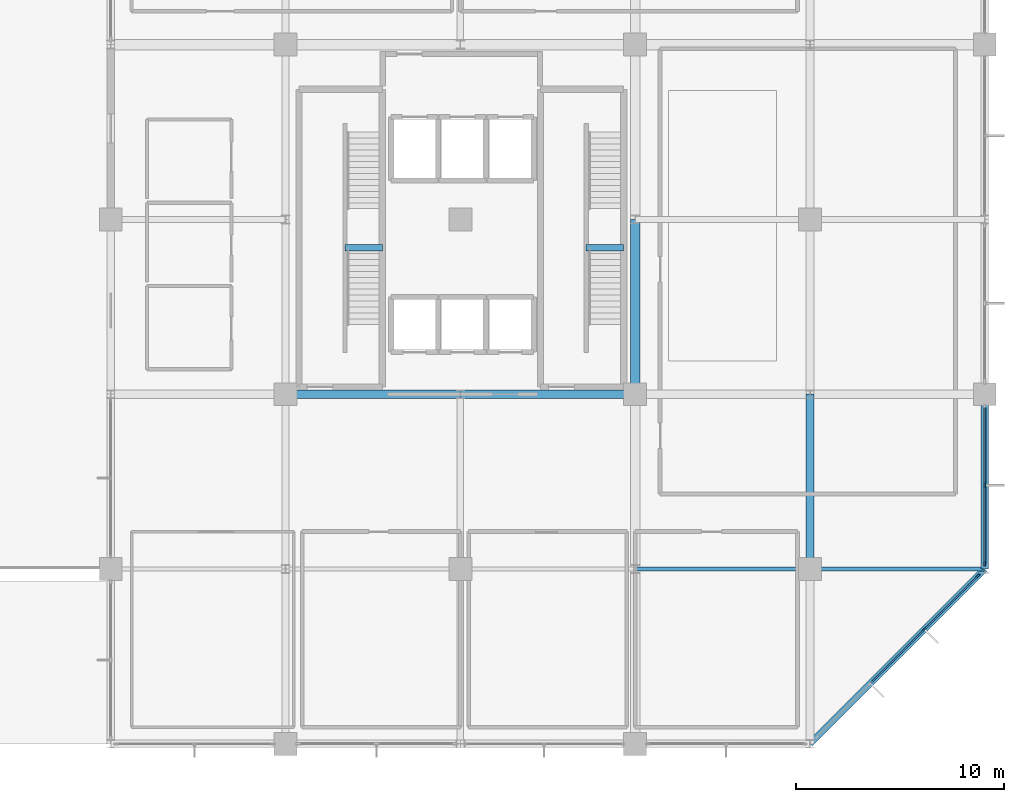
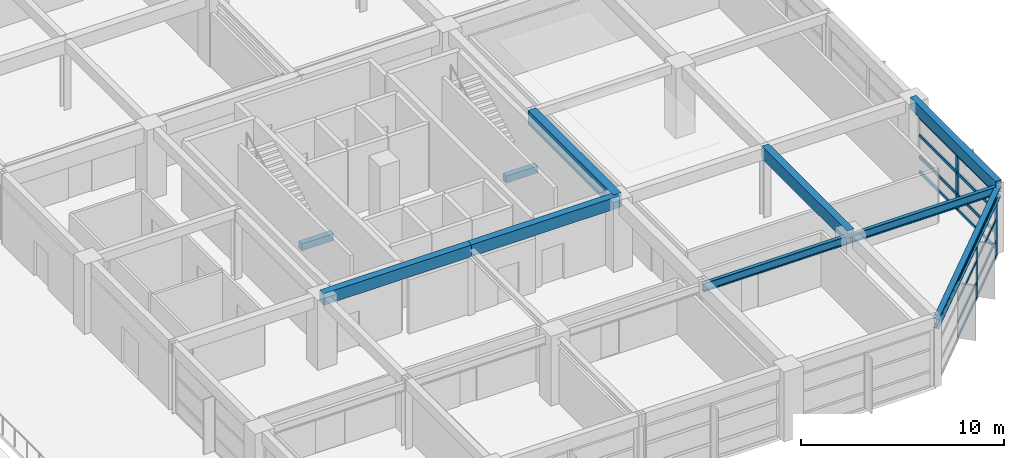
# One storey, part 21 of 34: 20 members, 10 beams, 2 elements without a shape of their own.
"""IFC4 building model written with IfcOpenShell, lengths in metres."""

from ifc_helpers import new_model, si_unit, direction, frame, origin, origin_2d, place, context, subcontext, project, spatial, rectangle, i_section, extrude, material, material_profile, profile_set, type_object, element, aggregate, save


model = new_model("IFC4")

# Units and contexts
model_context = context("Model", 3, precision=1e-05, world=origin(), true_north=direction((0.0, 1.0)))
body_context = subcontext(model_context, "Body", "Model", "MODEL_VIEW")
ifc_project = project(units=[si_unit("LENGTHUNIT", "METRE"), si_unit("AREAUNIT", "SQUARE_METRE"), si_unit("VOLUMEUNIT", "CUBIC_METRE"), si_unit("PLANEANGLEUNIT", "RADIAN"), si_unit("MASSUNIT", "GRAM", prefix="KILO")], contexts=[model_context])

# Site, building, storey
site_placement = place(None, origin())
site = spatial("IfcSite", under=ifc_project, at=site_placement, CompositionType="ELEMENT")
building_placement = place(site_placement, origin())
building = spatial("IfcBuilding", under=site, at=building_placement, Name="Xuanlan Plaza Opera House", CompositionType="ELEMENT")
storey_placement = place(building_placement, frame((0.0, 0.0, 27.89990234375)))
storey = spatial("IfcBuildingStorey", under=building, at=storey_placement, Name="L06", CompositionType="ELEMENT", Elevation=27.89990234375)

# Curtain wall, members
ifc_material_1 = material(Name="Anodised Aluminium 6063-T6 and Low-E Glass", Category="aluminium")
curtain_wall_type_1 = type_object("IfcCurtainWallType", Name="ENV-CW-CW-01", PredefinedType="USERDEFINED", material=ifc_material_1)
curtain_wall_1_placement = place(storey_placement, origin())
curtain_wall_1 = element("IfcCurtainWall", 1, at=curtain_wall_1_placement, inside=storey, type_object=curtain_wall_type_1, Name="Unitised Curtain Wall L06-005", ObjectType="UNITISED CURTAIN WALL", PredefinedType="USERDEFINED")
ifc_material_2 = material(Name="Anodised Aluminium 6063-T6", Category="aluminium")
ifc_material_profile_1 = material_profile(ifc_material_2, rectangle(XDim=0.074951171875, YDim=0.199951171875, at=origin_2d()), Name="ALU-M 75x200")
ifc_profile_set_1 = profile_set([ifc_material_profile_1], Name="Anodised Aluminium 6063-T6")
member_type_1 = type_object("IfcMemberType", Name="ENV-CWM-03", PredefinedType="MULLION", material=ifc_profile_set_1)
member_1_placement = place(storey_placement, frame((165.100341796875, 39.100341796875, 0.0), z_axis=(0.0, 0.0, 1.0), x_axis=(-0.707106781187, 0.707106781187, 0.0)))
member_1 = element("IfcMember", 2, at=member_1_placement, type_object=member_type_1, Name="CW-01 mullion 3", PredefinedType="MULLION", context=body_context, shape_type="SweptSolid", body=[
    extrude(rectangle(XDim=0.074951171875, YDim=0.199951171875, at=origin_2d()), origin(), (0.0, 0.0, 1.0), 3.380126953125),
])
member_2_placement = place(storey_placement, frame((167.674560546875, 41.674560546875, 0.0), z_axis=(0.0, 0.0, 1.0), x_axis=(-0.707106781187, 0.707106781187, 0.0)))
member_2 = element("IfcMember", 3, at=member_2_placement, type_object=member_type_1, Name="CW-01 mullion 4", PredefinedType="MULLION", context=body_context, shape_type="SweptSolid", body=[
    extrude(rectangle(XDim=0.074951171875, YDim=0.199951171875, at=origin_2d()), origin(), (0.0, 0.0, 1.0), 3.380126953125),
])

curtain_wall_type_2 = type_object("IfcCurtainWallType", Name="ENV-CW-CW-02", PredefinedType="USERDEFINED", material=ifc_material_1)
curtain_wall_2_placement = place(storey_placement, origin())
curtain_wall_2 = element("IfcCurtainWall", 4, at=curtain_wall_2_placement, inside=storey, type_object=curtain_wall_type_2, Name="Unitised Curtain Wall L06-006", ObjectType="UNITISED CURTAIN WALL", PredefinedType="USERDEFINED")
ifc_material_profile_2 = material_profile(ifc_material_2, rectangle(XDim=0.080078125, YDim=0.219970703125, at=origin_2d()), Name="ALU-M 80x220")
ifc_profile_set_2 = profile_set([ifc_material_profile_2], Name="Anodised Aluminium 6063-T6")
member_type_2 = type_object("IfcMemberType", Name="ENV-CWM-04", PredefinedType="MULLION", material=ifc_profile_set_2)
member_3_placement = place(storey_placement, frame((168.0, 42.260009765625, 0.0), z_axis=(0.0, 0.0, 1.0), x_axis=(-1.0, 0.0, 0.0)))
member_3 = element("IfcMember", 5, at=member_3_placement, type_object=member_type_2, Name="CW-02 mullion 1", PredefinedType="MULLION", context=body_context, shape_type="SweptSolid", body=[
    extrude(rectangle(XDim=0.080078125, YDim=0.219970703125, at=origin_2d()), origin(), (0.0, 0.0, 1.0), 3.380126953125),
])
member_4_placement = place(storey_placement, frame((168.0, 46.02490234375, 0.0), z_axis=(0.0, 0.0, 1.0), x_axis=(-1.0, 0.0, 0.0)))
member_4 = element("IfcMember", 6, at=member_4_placement, type_object=member_type_2, Name="CW-02 mullion 2", PredefinedType="MULLION", context=body_context, shape_type="SweptSolid", body=[
    extrude(rectangle(XDim=0.080078125, YDim=0.219970703125, at=origin_2d()), origin(), (0.0, 0.0, 1.0), 3.380126953125),
])

# Member
ifc_material_profile_3 = material_profile(ifc_material_2, rectangle(XDim=0.074951171875, YDim=0.14990234375, at=origin_2d()), Name="ALU-T 75x150")
ifc_profile_set_3 = profile_set([ifc_material_profile_3], Name="Anodised Aluminium 6063-T6")
member_type_3 = type_object("IfcMemberType", Name="ENV-CWT-03", PredefinedType="USERDEFINED", material=ifc_profile_set_3)
member_5_placement = place(storey_placement, frame((162.526123046875, 36.526123046875, 0.03759765625), z_axis=(0.707106781187, 0.707106781187, 0.0), x_axis=(-0.707106781187, 0.707106781187, 0.0)))
member_5 = element("IfcMember", 7, at=member_5_placement, type_object=member_type_3, Name="CW-01 transom 2.1", ObjectType="TRANSOM", PredefinedType="USERDEFINED", context=body_context, shape_type="SweptSolid", body=[
    extrude(rectangle(XDim=0.074951171875, YDim=0.14990234375, at=origin_2d()), origin(), (0.0, 0.0, 1.0), 3.602783203125),
])

member_6_placement = place(storey_placement, frame((162.526123046875, 36.526123046875, 0.9501953125), z_axis=(0.707106781187, 0.707106781187, 0.0), x_axis=(-0.707106781187, 0.707106781187, 0.0)))
member_6 = element("IfcMember", 8, at=member_6_placement, type_object=member_type_3, Name="CW-01 transom 2.2", ObjectType="TRANSOM", PredefinedType="USERDEFINED", context=body_context, shape_type="SweptSolid", body=[
    extrude(rectangle(XDim=0.074951171875, YDim=0.14990234375, at=origin_2d()), origin(), (0.0, 0.0, 1.0), 3.602783203125),
])

member_7_placement = place(storey_placement, frame((162.526123046875, 36.526123046875, 2.25), z_axis=(0.707106781187, 0.707106781187, 0.0), x_axis=(-0.707106781187, 0.707106781187, 0.0)))
member_7 = element("IfcMember", 9, at=member_7_placement, type_object=member_type_3, Name="CW-01 transom 2.3", ObjectType="TRANSOM", PredefinedType="USERDEFINED", context=body_context, shape_type="SweptSolid", body=[
    extrude(rectangle(XDim=0.074951171875, YDim=0.14990234375, at=origin_2d()), origin(), (0.0, 0.0, 1.0), 3.602783203125),
])

member_8_placement = place(storey_placement, frame((162.526123046875, 36.526123046875, 3.342529296875), z_axis=(0.707106781187, 0.707106781187, 0.0), x_axis=(-0.707106781187, 0.707106781187, 0.0)))
member_8 = element("IfcMember", 10, at=member_8_placement, type_object=member_type_3, Name="CW-01 transom 2.4", ObjectType="TRANSOM", PredefinedType="USERDEFINED", context=body_context, shape_type="SweptSolid", body=[
    extrude(rectangle(XDim=0.074951171875, YDim=0.14990234375, at=origin_2d()), origin(), (0.0, 0.0, 1.0), 3.602783203125),
])

member_9_placement = place(storey_placement, frame((165.126953125, 39.126953125, 0.03759765625), z_axis=(0.707106781187, 0.707106781187, 0.0), x_axis=(-0.707106781187, 0.707106781187, 0.0)))
member_9 = element("IfcMember", 11, at=member_9_placement, type_object=member_type_3, Name="CW-01 transom 3.1", ObjectType="TRANSOM", PredefinedType="USERDEFINED", context=body_context, shape_type="SweptSolid", body=[
    extrude(rectangle(XDim=0.074951171875, YDim=0.14990234375, at=origin_2d()), origin(), (0.0, 0.0, 1.0), 3.565185546875),
])

member_10_placement = place(storey_placement, frame((165.126953125, 39.126953125, 0.9501953125), z_axis=(0.707106781187, 0.707106781187, 0.0), x_axis=(-0.707106781187, 0.707106781187, 0.0)))
member_10 = element("IfcMember", 12, at=member_10_placement, type_object=member_type_3, Name="CW-01 transom 3.2", ObjectType="TRANSOM", PredefinedType="USERDEFINED", context=body_context, shape_type="SweptSolid", body=[
    extrude(rectangle(XDim=0.074951171875, YDim=0.14990234375, at=origin_2d()), origin(), (0.0, 0.0, 1.0), 3.565185546875),
])

member_11_placement = place(storey_placement, frame((165.126953125, 39.126953125, 2.25), z_axis=(0.707106781187, 0.707106781187, 0.0), x_axis=(-0.707106781187, 0.707106781187, 0.0)))
member_11 = element("IfcMember", 13, at=member_11_placement, type_object=member_type_3, Name="CW-01 transom 3.3", ObjectType="TRANSOM", PredefinedType="USERDEFINED", context=body_context, shape_type="SweptSolid", body=[
    extrude(rectangle(XDim=0.074951171875, YDim=0.14990234375, at=origin_2d()), origin(), (0.0, 0.0, 1.0), 3.565185546875),
])

member_12_placement = place(storey_placement, frame((165.126953125, 39.126953125, 3.342529296875), z_axis=(0.707106781187, 0.707106781187, 0.0), x_axis=(-0.707106781187, 0.707106781187, 0.0)))
member_12 = element("IfcMember", 14, at=member_12_placement, type_object=member_type_3, Name="CW-01 transom 3.4", ObjectType="TRANSOM", PredefinedType="USERDEFINED", context=body_context, shape_type="SweptSolid", body=[
    extrude(rectangle(XDim=0.074951171875, YDim=0.14990234375, at=origin_2d()), origin(), (0.0, 0.0, 1.0), 3.565185546875),
])

aggregate(curtain_wall_1, [member_1, member_2, member_5, member_6, member_7, member_8, member_9, member_10, member_11, member_12])

ifc_material_profile_4 = material_profile(ifc_material_2, rectangle(XDim=0.090087890625, YDim=0.179931640625, at=origin_2d()), Name="ALU-T 90x180")
ifc_profile_set_4 = profile_set([ifc_material_profile_4], Name="Anodised Aluminium 6063-T6")
member_type_4 = type_object("IfcMemberType", Name="ENV-CWT-05", PredefinedType="USERDEFINED", material=ifc_profile_set_4)
member_13_placement = place(storey_placement, frame((168.0, 42.300048828125, 0.045166015625), z_axis=(0.0, 1.0, 0.0), x_axis=(-1.0, 0.0, 0.0)))
member_13 = element("IfcMember", 15, at=member_13_placement, type_object=member_type_4, Name="CW-02 transom 1.1", ObjectType="TRANSOM", PredefinedType="USERDEFINED", context=body_context, shape_type="SweptSolid", body=[
    extrude(rectangle(XDim=0.090087890625, YDim=0.179931640625, at=origin_2d()), origin(), (0.0, 0.0, 1.0), 3.68505859375),
])

member_14_placement = place(storey_placement, frame((168.0, 42.300048828125, 0.9501953125), z_axis=(0.0, 1.0, 0.0), x_axis=(-1.0, 0.0, 0.0)))
member_14 = element("IfcMember", 16, at=member_14_placement, type_object=member_type_4, Name="CW-02 transom 1.2", ObjectType="TRANSOM", PredefinedType="USERDEFINED", context=body_context, shape_type="SweptSolid", body=[
    extrude(rectangle(XDim=0.090087890625, YDim=0.179931640625, at=origin_2d()), origin(), (0.0, 0.0, 1.0), 3.68505859375),
])

member_15_placement = place(storey_placement, frame((168.0, 42.300048828125, 2.25), z_axis=(0.0, 1.0, 0.0), x_axis=(-1.0, 0.0, 0.0)))
member_15 = element("IfcMember", 17, at=member_15_placement, type_object=member_type_4, Name="CW-02 transom 1.3", ObjectType="TRANSOM", PredefinedType="USERDEFINED", context=body_context, shape_type="SweptSolid", body=[
    extrude(rectangle(XDim=0.090087890625, YDim=0.179931640625, at=origin_2d()), origin(), (0.0, 0.0, 1.0), 3.68505859375),
])

member_16_placement = place(storey_placement, frame((168.0, 42.300048828125, 3.335205078125), z_axis=(0.0, 1.0, 0.0), x_axis=(-1.0, 0.0, 0.0)))
member_16 = element("IfcMember", 18, at=member_16_placement, type_object=member_type_4, Name="CW-02 transom 1.4", ObjectType="TRANSOM", PredefinedType="USERDEFINED", context=body_context, shape_type="SweptSolid", body=[
    extrude(rectangle(XDim=0.090087890625, YDim=0.179931640625, at=origin_2d()), origin(), (0.0, 0.0, 1.0), 3.68505859375),
])

member_17_placement = place(storey_placement, frame((168.0, 46.06494140625, 0.045166015625), z_axis=(0.0, 1.0, 0.0), x_axis=(-1.0, 0.0, 0.0)))
member_17 = element("IfcMember", 19, at=member_17_placement, type_object=member_type_4, Name="CW-02 transom 2.1", ObjectType="TRANSOM", PredefinedType="USERDEFINED", context=body_context, shape_type="SweptSolid", body=[
    extrude(rectangle(XDim=0.090087890625, YDim=0.179931640625, at=origin_2d()), origin(), (0.0, 0.0, 1.0), 3.68505859375),
])

member_18_placement = place(storey_placement, frame((168.0, 46.06494140625, 0.9501953125), z_axis=(0.0, 1.0, 0.0), x_axis=(-1.0, 0.0, 0.0)))
member_18 = element("IfcMember", 20, at=member_18_placement, type_object=member_type_4, Name="CW-02 transom 2.2", ObjectType="TRANSOM", PredefinedType="USERDEFINED", context=body_context, shape_type="SweptSolid", body=[
    extrude(rectangle(XDim=0.090087890625, YDim=0.179931640625, at=origin_2d()), origin(), (0.0, 0.0, 1.0), 3.68505859375),
])

member_19_placement = place(storey_placement, frame((168.0, 46.06494140625, 2.25), z_axis=(0.0, 1.0, 0.0), x_axis=(-1.0, 0.0, 0.0)))
member_19 = element("IfcMember", 21, at=member_19_placement, type_object=member_type_4, Name="CW-02 transom 2.3", ObjectType="TRANSOM", PredefinedType="USERDEFINED", context=body_context, shape_type="SweptSolid", body=[
    extrude(rectangle(XDim=0.090087890625, YDim=0.179931640625, at=origin_2d()), origin(), (0.0, 0.0, 1.0), 3.68505859375),
])

member_20_placement = place(storey_placement, frame((168.0, 46.06494140625, 3.335205078125), z_axis=(0.0, 1.0, 0.0), x_axis=(-1.0, 0.0, 0.0)))
member_20 = element("IfcMember", 22, at=member_20_placement, type_object=member_type_4, Name="CW-02 transom 2.4", ObjectType="TRANSOM", PredefinedType="USERDEFINED", context=body_context, shape_type="SweptSolid", body=[
    extrude(rectangle(XDim=0.090087890625, YDim=0.179931640625, at=origin_2d()), origin(), (0.0, 0.0, 1.0), 3.68505859375),
])

aggregate(curtain_wall_2, [member_3, member_4, member_13, member_14, member_15, member_16, member_17, member_18, member_19, member_20])

# Beams
ifc_material_3 = material(Name="Concrete C40", Category="concrete")
ifc_material_profile_5 = material_profile(ifc_material_3, rectangle(XDim=0.449951171875, YDim=0.85009765625, at=origin_2d()), Name="RC-BM 450x850")
ifc_profile_set_5 = profile_set([ifc_material_profile_5], Name="Concrete C40")
beam_type_1 = type_object("IfcBeamType", Name="STR-BM-B-04", PredefinedType="BEAM", material=ifc_profile_set_5)
beam_1_placement = place(storey_placement, frame((151.199951171875, 50.39990234375, 3.775146484375), z_axis=(0.0, 1.0, 0.0), x_axis=(-1.0, 0.0, 0.0)))
element("IfcBeam", 23, at=beam_1_placement, inside=storey, type_object=beam_type_1, Name="Grid Beam Y L06 19/G-H", PredefinedType="BEAM", context=body_context, shape_type="SweptSolid", body=[
    extrude(rectangle(XDim=0.449951171875, YDim=0.85009765625, at=origin_2d()), origin(), (0.0, 0.0, 1.0), 8.400146484375),
])
ifc_material_profile_6 = material_profile(ifc_material_3, rectangle(XDim=0.39990234375, YDim=0.75, at=origin_2d()), Name="RC-BM 400x750")
ifc_profile_set_6 = profile_set([ifc_material_profile_6], Name="Concrete C40")
beam_type_2 = type_object("IfcBeamType", Name="STR-BM-B-06", PredefinedType="BEAM", material=ifc_profile_set_6)
beam_2_placement = place(storey_placement, frame((159.60009765625, 42.0, 3.8251953125), z_axis=(0.0, 1.0, 0.0), x_axis=(-1.0, 0.0, 0.0)))
element("IfcBeam", 24, at=beam_2_placement, inside=storey, type_object=beam_type_2, Name="Grid Beam Y L06 20/F-G", PredefinedType="BEAM", context=body_context, shape_type="SweptSolid", body=[
    extrude(rectangle(XDim=0.39990234375, YDim=0.75, at=origin_2d()), origin(), (0.0, 0.0, 1.0), 8.39990234375),
])
ifc_material_profile_7 = material_profile(ifc_material_3, rectangle(XDim=0.39990234375, YDim=0.699951171875, at=origin_2d()), Name="RC-BM 400x700")
ifc_profile_set_7 = profile_set([ifc_material_profile_7], Name="Concrete C40")
beam_type_3 = type_object("IfcBeamType", Name="STR-BM-B-07", PredefinedType="BEAM", material=ifc_profile_set_7)
beam_3_placement = place(storey_placement, frame((134.39990234375, 50.39990234375, 3.85009765625), z_axis=(1.0, 0.0, 0.0), x_axis=(0.0, 1.0, 0.0)))
element("IfcBeam", 25, at=beam_3_placement, inside=storey, type_object=beam_type_3, Name="Grid Beam X L06 17-18/G", PredefinedType="BEAM", context=body_context, shape_type="SweptSolid", body=[
    extrude(rectangle(XDim=0.39990234375, YDim=0.699951171875, at=origin_2d()), origin(), (0.0, 0.0, 1.0), 8.400146484375),
])
beam_4_placement = place(storey_placement, frame((142.800048828125, 50.39990234375, 3.85009765625), z_axis=(1.0, 0.0, 0.0), x_axis=(0.0, 1.0, 0.0)))
element("IfcBeam", 26, at=beam_4_placement, inside=storey, type_object=beam_type_3, Name="Grid Beam X L06 18-19/G", PredefinedType="BEAM", context=body_context, shape_type="SweptSolid", body=[
    extrude(rectangle(XDim=0.39990234375, YDim=0.699951171875, at=origin_2d()), origin(), (0.0, 0.0, 1.0), 8.39990234375),
])
ifc_material_profile_8 = material_profile(ifc_material_3, rectangle(XDim=0.320068359375, YDim=0.419921875, at=origin_2d()), Name="RC-LNT 320x420")
ifc_profile_set_8 = profile_set([ifc_material_profile_8], Name="Concrete C40")
beam_type_4 = type_object("IfcBeamType", Name="STR-BM-LN-04", PredefinedType="LINTEL", material=ifc_profile_set_8)
beam_5_placement = place(storey_placement, frame((137.25, 57.445068359375, 1.690185546875), z_axis=(1.0, 0.0, 0.0), x_axis=(0.0, 1.0, 0.0)))
element("IfcBeam", 27, at=beam_5_placement, inside=storey, type_object=beam_type_4, Name="Stair Mid-Landing Trimmer Beam ST-T1 L06", PredefinedType="LINTEL", context=body_context, shape_type="SweptSolid", body=[
    extrude(rectangle(XDim=0.320068359375, YDim=0.419921875, at=origin_2d()), origin(), (0.0, 0.0, 1.0), 1.800048828125),
])
beam_6_placement = place(storey_placement, frame((148.85009765625, 57.445068359375, 1.690185546875), z_axis=(1.0, 0.0, 0.0), x_axis=(0.0, 1.0, 0.0)))
element("IfcBeam", 28, at=beam_6_placement, inside=storey, type_object=beam_type_4, Name="Stair Mid-Landing Trimmer Beam ST-T2 L06", PredefinedType="LINTEL", context=body_context, shape_type="SweptSolid", body=[
    extrude(rectangle(XDim=0.320068359375, YDim=0.419921875, at=origin_2d()), origin(), (0.0, 0.0, 1.0), 1.7998046875),
])
ifc_material_4 = material(Name="Steel Q355B", Category="steel")
ifc_material_profile_9 = material_profile(ifc_material_4, i_section(OverallWidth=0.199951171875, OverallDepth=0.5, WebThickness=0.010009765625, FlangeThickness=0.01611328125, FilletRadius=0.02001953125, at=origin_2d()), Name="HN 500x200x10x16")
ifc_profile_set_9 = profile_set([ifc_material_profile_9], Name="Steel Q355B")
beam_type_5 = type_object("IfcBeamType", Name="STR-BM-SB-05", PredefinedType="BEAM", material=ifc_profile_set_9)
beam_7_placement = place(storey_placement, frame((151.199951171875, 42.0, 3.705078125), z_axis=(1.0, 0.0, 0.0), x_axis=(0.0, 1.0, 0.0)))
element("IfcBeam", 29, at=beam_7_placement, inside=storey, type_object=beam_type_5, Name="Grid Beam X L06 19-20/F", PredefinedType="BEAM", context=body_context, shape_type="SweptSolid", body=[
    extrude(i_section(OverallWidth=0.199951171875, OverallDepth=0.5, WebThickness=0.010009765625, FlangeThickness=0.01611328125, FilletRadius=0.02001953125, at=origin_2d()), origin(), (0.0, 0.0, 1.0), 8.400146484375),
])
beam_8_placement = place(storey_placement, frame((159.60009765625, 42.0, 3.705078125), z_axis=(1.0, 0.0, 0.0), x_axis=(0.0, 1.0, 0.0)))
element("IfcBeam", 30, at=beam_8_placement, inside=storey, type_object=beam_type_5, Name="Grid Beam X L06 20-21/F", PredefinedType="BEAM", context=body_context, shape_type="SweptSolid", body=[
    extrude(i_section(OverallWidth=0.199951171875, OverallDepth=0.5, WebThickness=0.010009765625, FlangeThickness=0.01611328125, FilletRadius=0.02001953125, at=origin_2d()), origin(), (0.0, 0.0, 1.0), 8.39990234375),
])
ifc_material_profile_10 = material_profile(ifc_material_3, rectangle(XDim=0.35009765625, YDim=0.699951171875, at=origin_2d()), Name="RC-SPD 350x700")
ifc_profile_set_10 = profile_set([ifc_material_profile_10], Name="Concrete C40")
beam_type_6 = type_object("IfcBeamType", Name="STR-BM-SP-02", PredefinedType="SPANDREL", material=ifc_profile_set_10)
beam_9_placement = place(storey_placement, frame((168.0, 42.0, 3.85009765625), z_axis=(0.0, 1.0, 0.0), x_axis=(-1.0, 0.0, 0.0)))
element("IfcBeam", 31, at=beam_9_placement, inside=storey, type_object=beam_type_6, Name="Grid Beam Y L06 21/F-G", PredefinedType="SPANDREL", context=body_context, shape_type="SweptSolid", body=[
    extrude(rectangle(XDim=0.35009765625, YDim=0.699951171875, at=origin_2d()), origin(), (0.0, 0.0, 1.0), 8.39990234375),
])
ifc_material_profile_11 = material_profile(ifc_material_4, i_section(OverallWidth=0.300048828125, OverallDepth=0.587890625, WebThickness=0.011962890625, FlangeThickness=0.02001953125, FilletRadius=0.02392578125, at=origin_2d()), Name="HM 588x300x12x20")
ifc_profile_set_11 = profile_set([ifc_material_profile_11], Name="Steel Q355B")
beam_type_7 = type_object("IfcBeamType", Name="STR-BM-SP-03", PredefinedType="SPANDREL", material=ifc_profile_set_11)
beam_10_placement = place(storey_placement, frame((159.60009765625, 33.60009765625, 3.6611328125), z_axis=(0.707106781187, 0.707106781187, 0.0), x_axis=(-0.707106781187, 0.707106781187, 0.0)))
element("IfcBeam", 32, at=beam_10_placement, inside=storey, type_object=beam_type_7, Name="Faceted Edge Spandrel L06 CH01", PredefinedType="SPANDREL", context=body_context, shape_type="SweptSolid", body=[
    extrude(i_section(OverallWidth=0.300048828125, OverallDepth=0.587890625, WebThickness=0.011962890625, FlangeThickness=0.02001953125, FilletRadius=0.02392578125, at=origin_2d()), origin(), (0.0, 0.0, 1.0), 11.879150390625),
])

save(model, "model.ifc")
